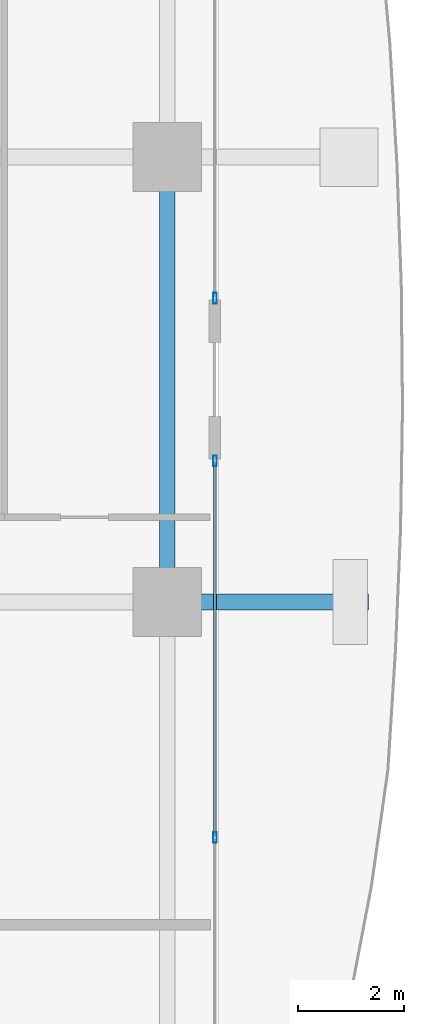
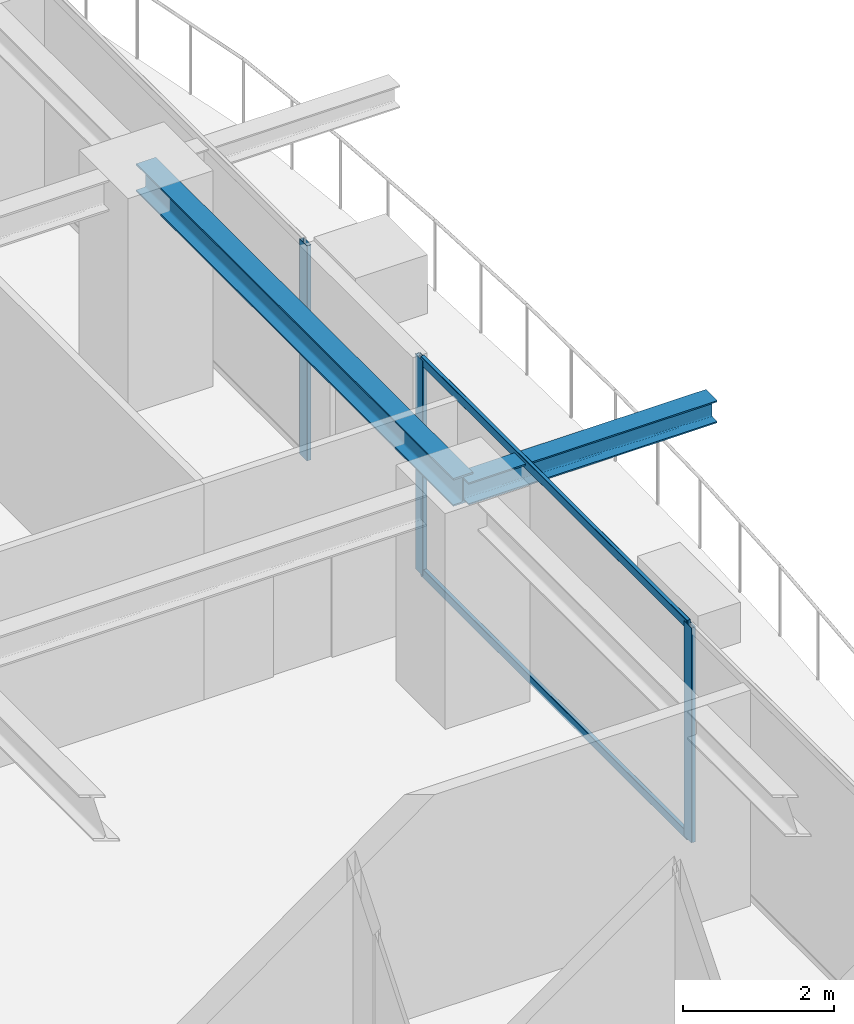
# One storey, part 15 of 38: 5 members, 2 beams, 2 elements without a shape of their own.
"""IFC4 building model written with IfcOpenShell, lengths in metres."""

from ifc_helpers import new_model, si_unit, direction, frame, origin, origin_2d, place, context, subcontext, project, spatial, hollow_rectangle, i_section, extrude, source, transform, mapped, material, layer, layer_set, material_profile, profile_set, type_object, element, aggregate, save


model = new_model("IFC4")

# Units and contexts
model_context = context("Model", 3, precision=1e-05, world=origin(), true_north=direction((0.0, 1.0)))
body_context = subcontext(model_context, "Body", "Model", "MODEL_VIEW")
ifc_project = project(units=[si_unit("LENGTHUNIT", "METRE"), si_unit("AREAUNIT", "SQUARE_METRE"), si_unit("VOLUMEUNIT", "CUBIC_METRE"), si_unit("PLANEANGLEUNIT", "RADIAN"), si_unit("MASSUNIT", "GRAM", prefix="KILO")], contexts=[model_context])

# Site, building, storey
site_placement = place(None, origin())
site = spatial("IfcSite", under=ifc_project, at=site_placement, CompositionType="ELEMENT")
building_placement = place(site_placement, origin())
building = spatial("IfcBuilding", under=site, at=building_placement, Name="Serunith Strait Residences", CompositionType="ELEMENT")
storey_placement = place(building_placement, frame((0.0, 0.0, 176.39990234375)))
storey = spatial("IfcBuildingStorey", under=building, at=storey_placement, Name="L44", CompositionType="ELEMENT", Elevation=176.39990234375)

# Beams
ifc_material_1 = material(Name="Steel S355J2", Category="steel")
ifc_material_profile_1 = material_profile(ifc_material_1, i_section(OverallWidth=0.300048828125, OverallDepth=0.449951171875, WebThickness=0.013916015625, FlangeThickness=0.02587890625, FilletRadius=0.027099609375, at=origin_2d()), Name="HEB 450")
ifc_profile_set_1 = profile_set([ifc_material_profile_1], Name="Steel S355J2")
beam_type_1 = type_object("IfcBeamType", Name="BM-HEB450", PredefinedType="BEAM", material=ifc_profile_set_1)
shared_shape_1 = source(origin(), body_context, "Body", "SweptSolid", [
    extrude(i_section(OverallWidth=0.300048828125, OverallDepth=0.449951171875, WebThickness=0.013916015625, FlangeThickness=0.02587890625, FilletRadius=0.027099609375, at=origin_2d()), origin(), (0.0, 0.0, 1.0), 8.39990234375),
])
beam_1_placement = place(storey_placement, frame((56.10009765625, 21.0, 3.26220703125), z_axis=(0.0, 1.0, 0.0), x_axis=(-1.0, 0.0, 0.0)))
element("IfcBeam", 1, at=beam_1_placement, inside=storey, type_object=beam_type_1, Name="L44 Perimeter Ring Beam 06", PredefinedType="BEAM", context=body_context, shape_type="MappedRepresentation", body=[
    mapped(shared_shape_1, transform((0.0, 0.0, 0.0), scale=1.0)),
])
ifc_material_profile_2 = material_profile(ifc_material_1, i_section(OverallWidth=0.300048828125, OverallDepth=0.360107421875, WebThickness=0.012451171875, FlangeThickness=0.0224609375, FilletRadius=0.027099609375, at=origin_2d()), Name="HEB 360")
ifc_profile_set_2 = profile_set([ifc_material_profile_2], Name="Steel S355J2")
beam_type_2 = type_object("IfcBeamType", Name="BM-HEB360", PredefinedType="BEAM", material=ifc_profile_set_2)
shared_shape_2 = source(origin(), body_context, "Body", "SweptSolid", [
    extrude(i_section(OverallWidth=0.300048828125, OverallDepth=0.360107421875, WebThickness=0.012451171875, FlangeThickness=0.0224609375, FilletRadius=0.027099609375, at=origin_2d()), origin(), (0.0, 0.0, 1.0), 3.7998046875),
])
beam_2_placement = place(storey_placement, frame((56.10009765625, 21.0, 3.277099609375), z_axis=(1.0, 0.0, 0.0), x_axis=(0.0, 1.0, 0.0)))
element("IfcBeam", 2, at=beam_2_placement, inside=storey, type_object=beam_type_2, Name="L45 Cantilevered Balcony Rib TC-E2", PredefinedType="BEAM", context=body_context, shape_type="MappedRepresentation", body=[
    mapped(shared_shape_2, transform((0.0, 0.0, 0.0), scale=1.0)),
])

# Curtain wall, members
ifc_material_2 = material(Name="Pale-Champagne Anodised Aluminium", Category="aluminium")
ifc_layer = layer(ifc_material_2, 0.199951171875, Name="Pale-Champagne Anodised Aluminium")
ifc_layer_set = layer_set([ifc_layer], Name="Pale-Champagne Anodised Aluminium")
curtain_wall_type = type_object("IfcCurtainWallType", Name="CW-SYS2", PredefinedType="NOTDEFINED", material=ifc_layer_set)
curtain_wall_1_placement = place(storey_placement, origin())
curtain_wall_1 = element("IfcCurtainWall", 3, at=curtain_wall_1_placement, inside=storey, type_object=curtain_wall_type, Name="L44 E Unitised Fritted Curtain Wall", PredefinedType="NOTDEFINED")
ifc_material_profile_3 = material_profile(ifc_material_2, hollow_rectangle(XDim=0.070068359375, YDim=0.199951171875, WallThickness=0.00390625, InnerFilletRadius=0.006103515625, OuterFilletRadius=0.010009765625, at=origin_2d()), Name="ALU 200x70x4")
ifc_profile_set_3 = profile_set([ifc_material_profile_3], Name="Pale-Champagne Anodised Aluminium")
member_type_1 = type_object("IfcMemberType", Name="CW-SYS2-MULL", PredefinedType="MULLION", material=ifc_profile_set_3)
shared_shape_3 = source(origin(), body_context, "Body", "SweptSolid", [
    extrude(hollow_rectangle(XDim=0.070068359375, YDim=0.199951171875, WallThickness=0.00390625, InnerFilletRadius=0.006103515625, OuterFilletRadius=0.010009765625, at=origin_2d()), origin(), (0.0, 0.0, 1.0), 3.47509765625),
])
member_1_placement = place(storey_placement, frame((57.0, 16.550048828125, 0.0), z_axis=(0.0, 0.0, 1.0), x_axis=(-1.0, 0.0, 0.0)))
member_1 = element("IfcMember", 4, at=member_1_placement, type_object=member_type_1, Name="CW-2 mullion 2", PredefinedType="MULLION", context=body_context, shape_type="MappedRepresentation", body=[
    mapped(shared_shape_3, transform((0.0, 0.0, 0.0), scale=1.0)),
])
member_2_placement = place(storey_placement, frame((57.0, 23.6650390625, 0.0), z_axis=(0.0, 0.0, 1.0), x_axis=(-1.0, 0.0, 0.0)))
member_2 = element("IfcMember", 5, at=member_2_placement, type_object=member_type_1, Name="CW-2 mullion 3", PredefinedType="MULLION", context=body_context, shape_type="MappedRepresentation", body=[
    mapped(shared_shape_3, transform((0.0, 0.0, 0.0), scale=1.0)),
])

# Curtain wall, member
curtain_wall_2_placement = place(storey_placement, origin())
curtain_wall_2 = element("IfcCurtainWall", 6, at=curtain_wall_2_placement, inside=storey, type_object=curtain_wall_type, Name="L44 E Unitised Fritted Curtain Wall", PredefinedType="NOTDEFINED")
member_3_placement = place(storey_placement, frame((57.0, 26.735107421875, 0.0), z_axis=(0.0, 0.0, 1.0), x_axis=(-1.0, 0.0, 0.0)))
member_3 = element("IfcMember", 7, at=member_3_placement, type_object=member_type_1, Name="CW-2 mullion 1", PredefinedType="MULLION", context=body_context, shape_type="MappedRepresentation", body=[
    mapped(shared_shape_3, transform((0.0, 0.0, 0.0), scale=1.0)),
])
aggregate(curtain_wall_2, [member_3])

# Member
ifc_material_profile_4 = material_profile(ifc_material_2, hollow_rectangle(XDim=0.06005859375, YDim=0.139892578125, WallThickness=0.00341796875, InnerFilletRadius=0.00537109375, OuterFilletRadius=0.0087890625, at=origin_2d()), Name="ALU 140x60x3.5")
ifc_profile_set_4 = profile_set([ifc_material_profile_4], Name="Pale-Champagne Anodised Aluminium")
member_type_2 = type_object("IfcMemberType", Name="CW-SYS2-TRAN", PredefinedType="USERDEFINED", material=ifc_profile_set_4)
shared_shape_4 = source(origin(), body_context, "Body", "SweptSolid", [
    extrude(hollow_rectangle(XDim=0.06005859375, YDim=0.139892578125, WallThickness=0.00341796875, InnerFilletRadius=0.00537109375, OuterFilletRadius=0.0087890625, at=origin_2d()), origin(), (0.0, 0.0, 1.0), 7.044921875),
])
member_4_placement = place(storey_placement, frame((57.0, 16.5849609375, 0.030029296875), z_axis=(0.0, 1.0, 0.0), x_axis=(-1.0, 0.0, 0.0)))
member_4 = element("IfcMember", 8, at=member_4_placement, type_object=member_type_2, Name="CW-2 transom 2.1", ObjectType="TRANSOM", PredefinedType="USERDEFINED", context=body_context, shape_type="MappedRepresentation", body=[
    mapped(shared_shape_4, transform((0.0, 0.0, 0.0), scale=1.0)),
])

member_5_placement = place(storey_placement, frame((57.0, 16.5849609375, 3.445068359375), z_axis=(0.0, 1.0, 0.0), x_axis=(-1.0, 0.0, 0.0)))
member_5 = element("IfcMember", 9, at=member_5_placement, type_object=member_type_2, Name="CW-2 transom 2.2", ObjectType="TRANSOM", PredefinedType="USERDEFINED", context=body_context, shape_type="MappedRepresentation", body=[
    mapped(shared_shape_4, transform((0.0, 0.0, 0.0), scale=1.0)),
])

aggregate(curtain_wall_1, [member_1, member_2, member_4, member_5])

save(model, "model.ifc")
